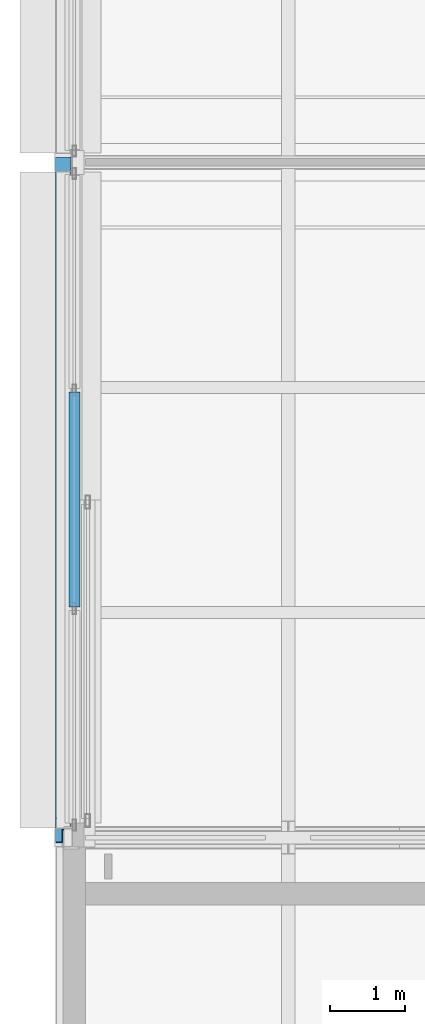
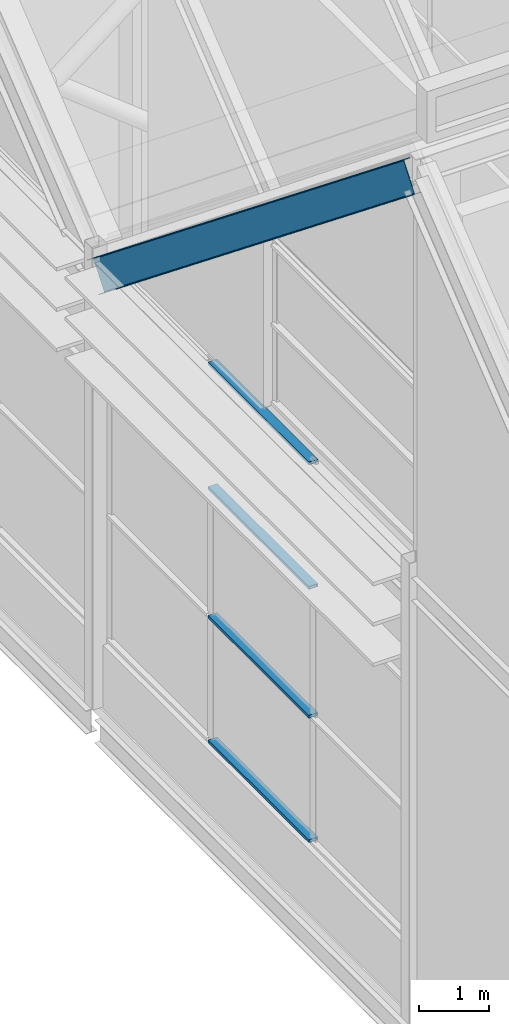
# One storey, part 15 of 144: 5 members, 1 element without a shape of its own.
"""IFC4 building model written with IfcOpenShell, lengths in metres."""

from ifc_helpers import new_model, si_unit, direction, frame, origin, origin_2d, place, context, subcontext, project, spatial, hollow_rectangle, i_section, extrude, material, layer, layer_set, material_profile, profile_set, type_object, element, aggregate, save


model = new_model("IFC4")

# Units and contexts
model_context = context("Model", 3, precision=1e-05, world=origin(), true_north=direction((0.0, 1.0)))
body_context = subcontext(model_context, "Body", "Model", "MODEL_VIEW")
ifc_project = project(units=[si_unit("LENGTHUNIT", "METRE"), si_unit("AREAUNIT", "SQUARE_METRE"), si_unit("VOLUMEUNIT", "CUBIC_METRE"), si_unit("PLANEANGLEUNIT", "RADIAN"), si_unit("MASSUNIT", "GRAM", prefix="KILO")], contexts=[model_context])

# Site, building, storey
site_placement = place(None, origin())
site = spatial("IfcSite", under=ifc_project, at=site_placement, CompositionType="ELEMENT")
building_placement = place(site_placement, origin())
building = spatial("IfcBuilding", under=site, at=building_placement, Name="Shorebreak Coast Museum", CompositionType="ELEMENT")
storey_placement = place(building_placement, frame((0.0, 0.0, 36.0)))
storey = spatial("IfcBuildingStorey", under=building, at=storey_placement, Name="L06", CompositionType="ELEMENT", Elevation=36.0)

# Member
ifc_material_1 = material(Name="Steel Grade 300", Category="steel")
ifc_material_profile_1 = material_profile(ifc_material_1, i_section(OverallWidth=0.208984375, OverallDepth=0.5283203125, WebThickness=0.009521484375, FlangeThickness=0.01318359375, FilletRadius=0.013916015625, at=origin_2d()), Name="530UB82.0")
ifc_profile_set_1 = profile_set([ifc_material_profile_1], Name="Steel Grade 300")
member_type_1 = type_object("IfcMemberType", Name="Fold rib rafter 530UB82.0", PredefinedType="RAFTER", material=ifc_profile_set_1)
member_1_placement = place(storey_placement, frame((54.0, 63.094970703125, 14.52978515625), z_axis=(0.0, 0.780866698312, -0.624697686459), x_axis=(-1.0, 0.0, 0.0)))
element("IfcMember", 1, at=member_1_placement, inside=storey, type_object=member_type_1, Name="Fold rib rafter FOLD-X line 2 01", PredefinedType="RAFTER", context=body_context, shape_type="SweptSolid", body=[
    extrude(i_section(OverallWidth=0.208984375, OverallDepth=0.5283203125, WebThickness=0.009521484375, FlangeThickness=0.01318359375, FilletRadius=0.013916015625, at=origin_2d()), origin(), (0.0, 0.0, 1.0), 11.282470703125),
])

# Curtain wall, members
ifc_material_2 = material(Name="Aluminium", Category="aluminium")
ifc_layer = layer(ifc_material_2, 0.14990234375)
ifc_layer_set = layer_set([ifc_layer], Name="Aluminium")
curtain_wall_type = type_object("IfcCurtainWallType", Name="Storefront curtain wall", PredefinedType="NOTDEFINED", material=ifc_layer_set)
curtain_wall_placement = place(storey_placement, origin())
curtain_wall = element("IfcCurtainWall", 2, at=curtain_wall_placement, inside=storey, type_object=curtain_wall_type, Name="Atrium Hall glazing L06 W 27", PredefinedType="NOTDEFINED")
ifc_material_3 = material(Name="Aluminium", Category="aluminium")
ifc_material_profile_2 = material_profile(ifc_material_3, hollow_rectangle(XDim=0.14990234375, YDim=0.050048828125, WallThickness=0.00390625, at=origin_2d()), Name="AL 50x150 RHS")
ifc_profile_set_2 = profile_set([ifc_material_profile_2], Name="Aluminium")
member_type_2 = type_object("IfcMemberType", Name="Storefront transom 150 x 50", PredefinedType="USERDEFINED", material=ifc_profile_set_2)
member_2_placement = place(storey_placement, frame((54.14990234375, 66.075927734375, 1.175048828125), z_axis=(0.0, 1.0, 0.0), x_axis=(-1.0, 0.0, 0.0)))
member_2 = element("IfcMember", 3, at=member_2_placement, type_object=member_type_2, Name="CW5 transom 2.1", ObjectType="TRANSOM", PredefinedType="USERDEFINED", context=body_context, shape_type="SweptSolid", body=[
    extrude(hollow_rectangle(XDim=0.14990234375, YDim=0.050048828125, WallThickness=0.00390625, at=origin_2d()), origin(), (0.0, 0.0, 1.0), 2.862060546875),
])
member_3_placement = place(storey_placement, frame((54.14990234375, 66.075927734375, 3.333251953125), z_axis=(0.0, 1.0, 0.0), x_axis=(-1.0, 0.0, 0.0)))
member_3 = element("IfcMember", 4, at=member_3_placement, type_object=member_type_2, Name="CW5 transom 2.2", ObjectType="TRANSOM", PredefinedType="USERDEFINED", context=body_context, shape_type="SweptSolid", body=[
    extrude(hollow_rectangle(XDim=0.14990234375, YDim=0.050048828125, WallThickness=0.00390625, at=origin_2d()), origin(), (0.0, 0.0, 1.0), 2.862060546875),
])
member_4_placement = place(storey_placement, frame((54.14990234375, 66.075927734375, 5.566650390625), z_axis=(0.0, 1.0, 0.0), x_axis=(-1.0, 0.0, 0.0)))
member_4 = element("IfcMember", 5, at=member_4_placement, type_object=member_type_2, Name="CW5 transom 2.3", ObjectType="TRANSOM", PredefinedType="USERDEFINED", context=body_context, shape_type="SweptSolid", body=[
    extrude(hollow_rectangle(XDim=0.14990234375, YDim=0.050048828125, WallThickness=0.00390625, at=origin_2d()), origin(), (0.0, 0.0, 1.0), 2.862060546875),
])
member_5_placement = place(storey_placement, frame((54.14990234375, 66.075927734375, 7.72509765625), z_axis=(0.0, 1.0, 0.0), x_axis=(-1.0, 0.0, 0.0)))
member_5 = element("IfcMember", 6, at=member_5_placement, type_object=member_type_2, Name="CW5 transom 2.4", ObjectType="TRANSOM", PredefinedType="USERDEFINED", context=body_context, shape_type="SweptSolid", body=[
    extrude(hollow_rectangle(XDim=0.14990234375, YDim=0.050048828125, WallThickness=0.00390625, at=origin_2d()), origin(), (0.0, 0.0, 1.0), 2.862060546875),
])
aggregate(curtain_wall, [member_2, member_3, member_4, member_5])

save(model, "model.ifc")
